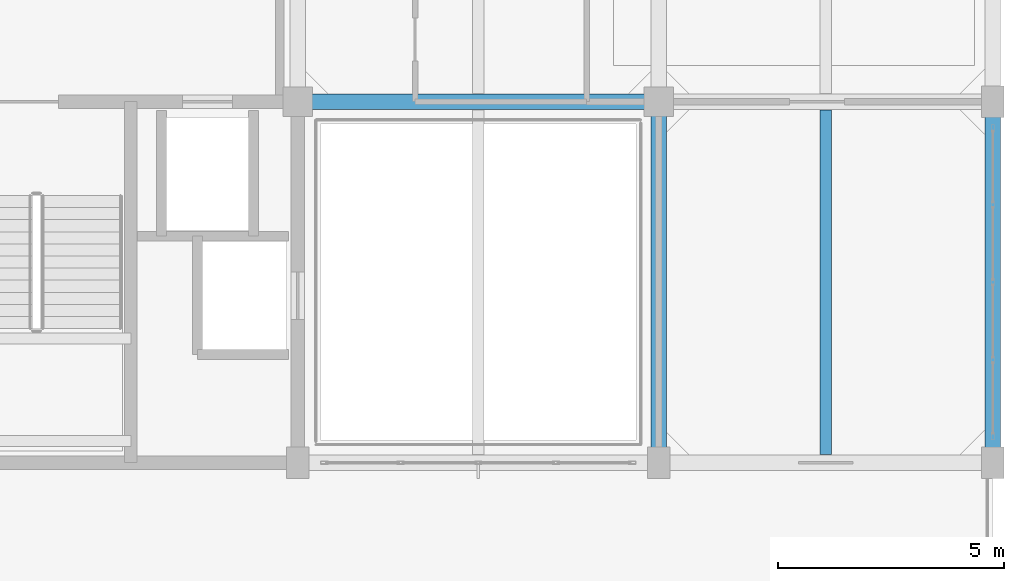
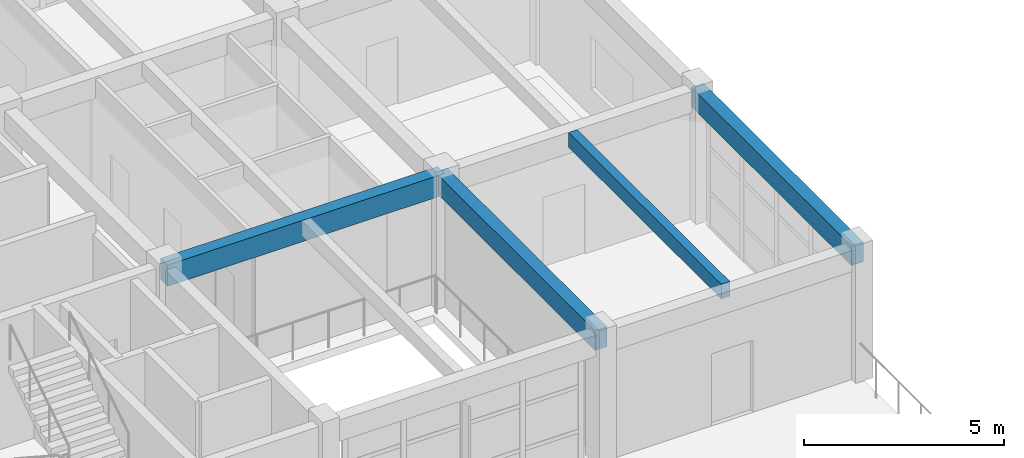
# One storey, part 7 of 20: 4 beams.
"""IFC4 building model written with IfcOpenShell, lengths in metres."""

from ifc_helpers import new_model, si_unit, direction, frame, origin, origin_2d, place, context, subcontext, project, spatial, rectangle, extrude, material, material_profile, profile_set, type_object, element, save


model = new_model("IFC4")

# Units and contexts
model_context = context("Model", 3, precision=1e-05, world=origin(), true_north=direction((0.0, 1.0)))
body_context = subcontext(model_context, "Body", "Model", "MODEL_VIEW")
ifc_project = project(units=[si_unit("LENGTHUNIT", "METRE"), si_unit("AREAUNIT", "SQUARE_METRE"), si_unit("VOLUMEUNIT", "CUBIC_METRE"), si_unit("PLANEANGLEUNIT", "RADIAN"), si_unit("MASSUNIT", "GRAM", prefix="KILO")], contexts=[model_context])

# Site, building, storey
site_placement = place(None, origin())
site = spatial("IfcSite", under=ifc_project, at=site_placement, CompositionType="ELEMENT")
building_placement = place(site_placement, origin())
building = spatial("IfcBuilding", under=site, at=building_placement, Name="Canggui Botanical Conservatory", CompositionType="ELEMENT")
storey_placement = place(building_placement, frame((0.0, 0.0, 57.0)))
storey = spatial("IfcBuildingStorey", under=building, at=storey_placement, Name="L14", CompositionType="ELEMENT", Elevation=57.0)

# Beams
ifc_material = material(Name="Concrete C35", Category="concrete")
ifc_material_profile_1 = material_profile(ifc_material, rectangle(XDim=0.25, YDim=0.449951171875, at=origin_2d()), Name="RB 250x450")
ifc_profile_set_1 = profile_set([ifc_material_profile_1], Name="Concrete C35")
beam_type_1 = type_object("IfcBeamType", Name="BM-JST05", PredefinedType="JOIST", material=ifc_profile_set_1)
beam_1_placement = place(storey_placement, frame((173.699951171875, 42.179931640625, 3.735107421875), z_axis=(0.0, 1.0, 0.0), x_axis=(-1.0, 0.0, 0.0)))
element("IfcBeam", 1, at=beam_1_placement, inside=storey, type_object=beam_type_1, Name="Secondary Floor Joist L14-4-1", PredefinedType="JOIST", context=body_context, shape_type="SweptSolid", body=[
    extrude(rectangle(XDim=0.25, YDim=0.449951171875, at=origin_2d()), origin(), (0.0, 0.0, 1.0), 7.64013671875),
])
ifc_material_profile_2 = material_profile(ifc_material, rectangle(XDim=0.35009765625, YDim=0.64990234375, at=origin_2d()), Name="RB 350x650")
ifc_profile_set_2 = profile_set([ifc_material_profile_2], Name="Concrete C35")
beam_type_2 = type_object("IfcBeamType", Name="BM-KL18", PredefinedType="BEAM", material=ifc_profile_set_2)
beam_2_placement = place(storey_placement, frame((162.0, 50.0, 3.635009765625), z_axis=(1.0, 0.0, 0.0), x_axis=(0.0, 1.0, 0.0)))
element("IfcBeam", 2, at=beam_2_placement, inside=storey, type_object=beam_type_2, Name="Frame Girder L14 Y50-3", PredefinedType="BEAM", context=body_context, shape_type="SweptSolid", body=[
    extrude(rectangle(XDim=0.35009765625, YDim=0.64990234375, at=origin_2d()), origin(), (0.0, 0.0, 1.0), 8.0),
])
ifc_material_profile_3 = material_profile(ifc_material, rectangle(XDim=0.35009765625, YDim=0.60009765625, at=origin_2d()), Name="RB 350x600")
ifc_profile_set_3 = profile_set([ifc_material_profile_3], Name="Concrete C35")
beam_type_3 = type_object("IfcBeamType", Name="BM-KL19", PredefinedType="BEAM", material=ifc_profile_set_3)
for number, where, z_axis, x_axis, name in (
    (3, (170.0, 42.0, 3.659912109375), (0.0, 1.0, 0.0), (-1.0, 0.0, 0.0), "Frame Girder L14 X170-1"),
    (4, (177.39990234375, 42.0, 3.659912109375), (0.0, 1.0, 0.0), (-1.0, 0.0, 0.0), "Frame Girder L14 X178-1"),
):
    element("IfcBeam", number, at=place(storey_placement, frame(where, z_axis=z_axis, x_axis=x_axis)), inside=storey, type_object=beam_type_3, Name=name, PredefinedType="BEAM", context=body_context, shape_type="SweptSolid", body=[
        extrude(rectangle(XDim=0.35009765625, YDim=0.60009765625, at=origin_2d()), origin(), (0.0, 0.0, 1.0), 8.0),
    ])

save(model, "model.ifc")
